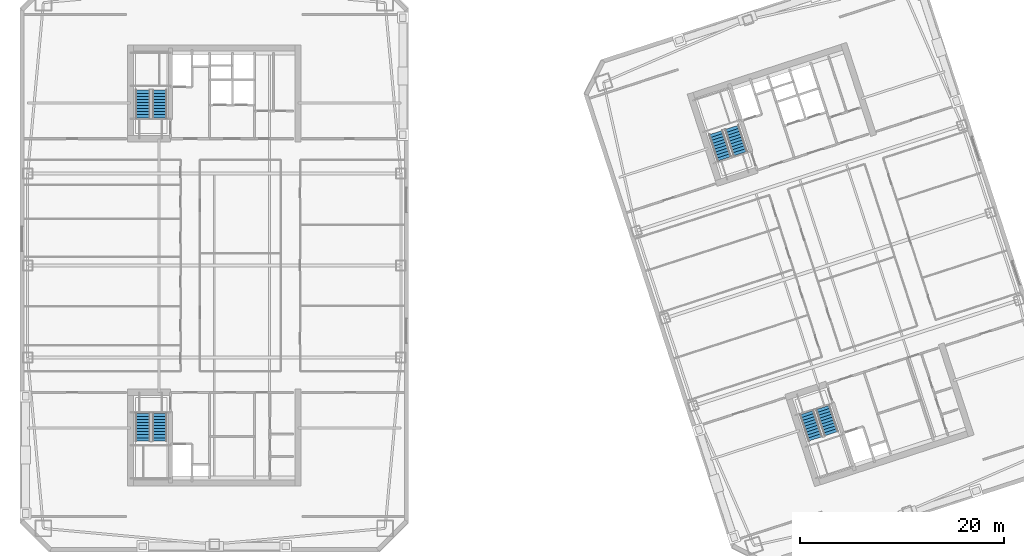
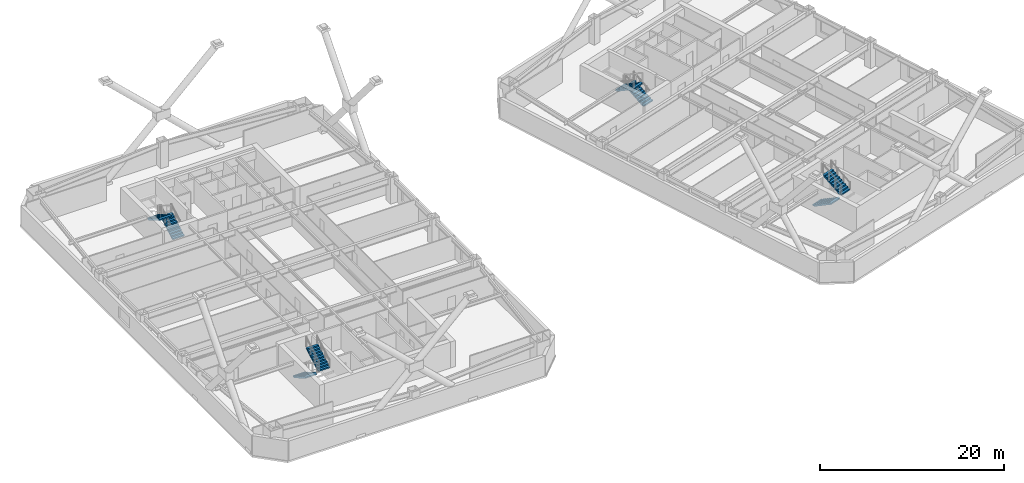
# One storey, part 10 of 12: 8 stair flights, 4 elements without a shape of their own.
"""IFC4 building model written with IfcOpenShell, lengths in metres."""

from ifc_helpers import new_model, si_unit, direction, frame, origin, place, context, subcontext, project, spatial, polyline, outline, extrude, material, type_object, element, aggregate, save


model = new_model("IFC4")

# Units and contexts
model_context = context("Model", 3, precision=1e-05, world=origin(), true_north=direction((0.0, 1.0)))
body_context = subcontext(model_context, "Body", "Model", "MODEL_VIEW")
ifc_project = project(units=[si_unit("LENGTHUNIT", "METRE"), si_unit("AREAUNIT", "SQUARE_METRE"), si_unit("VOLUMEUNIT", "CUBIC_METRE"), si_unit("PLANEANGLEUNIT", "RADIAN"), si_unit("MASSUNIT", "GRAM", prefix="KILO")], contexts=[model_context])

# Site, building, storey
site_placement = place(None, origin())
site = spatial("IfcSite", under=ifc_project, at=site_placement, CompositionType="ELEMENT")
building_placement = place(site_placement, origin())
building = spatial("IfcBuilding", under=site, at=building_placement, Name="Qiaolan Cultural Towers", CompositionType="ELEMENT")
storey_placement = place(building_placement, frame((0.0, 0.0, 106.949951171875)))
storey = spatial("IfcBuildingStorey", under=building, at=storey_placement, Name="L27", CompositionType="ELEMENT", Elevation=106.949951171875)

# Stair, stair flights
ifc_material_1 = material(Name="Concrete C45", Category="concrete")
stair_type = type_object("IfcStairType", Name="STR-CORE-1500", PredefinedType="HALF_TURN_STAIR", material=ifc_material_1)
stair_1_placement = place(storey_placement, origin())
stair_1 = element("IfcStair", 1, at=stair_1_placement, inside=storey, type_object=stair_type, Name="L27 Smokeproof Exit Stair ST-W1", PredefinedType="HALF_TURN_STAIR")
ifc_material_2 = material(Name="Concrete C45", Category="concrete")
stair_flight_type = type_object("IfcStairFlightType", Name="STR-CORE-1500-FL", PredefinedType="STRAIGHT", material=ifc_material_2)
stair_flight_1_placement = place(storey_placement, frame((23.02001953125, 19.550048828125, 0.0), z_axis=(0.0, 0.0, 1.0), x_axis=(0.0, -1.0, 0.0)))
stair_flight_1 = element("IfcStairFlight", 2, at=stair_flight_1_placement, type_object=stair_flight_type, Name="ST-W1 flight 1", NumberOfRisers=10, NumberOfTreads=9, PredefinedType="STRAIGHT", RiserHeight=0.1725, TreadLength=0.3, context=body_context, shape_type="SweptSolid", body=[
    extrude(outline(polyline([(0.0, 0.0), (0.0, 0.172607421875), (0.300048828125, 0.172607421875), (0.300048828125, 0.344970703125), (0.60009765625, 0.344970703125), (0.60009765625, 0.517578125), (0.89990234375, 0.517578125), (0.89990234375, 0.68994140625), (1.199951171875, 0.68994140625), (1.199951171875, 0.862548828125), (1.5, 0.862548828125), (1.5, 1.034912109375), (1.800048828125, 1.034912109375), (1.800048828125, 1.20751953125), (2.10009765625, 1.20751953125), (2.10009765625, 1.3798828125), (2.39990234375, 1.3798828125), (2.39990234375, 1.552490234375), (2.699951171875, 1.552490234375), (2.699951171875, 1.72509765625), (2.699951171875, 1.379638671875), (0.30078125, 0.0), (0.0, 0.0)])), frame((0.0, 0.719970703125, 0.0), z_axis=(0.0, -1.0, 0.0), x_axis=(1.0, 0.0, 0.0)), (0.0, 0.0, 1.0), 1.43994140625),
])
stair_flight_2_placement = place(storey_placement, frame((24.659912109375, 16.85009765625, 1.72509765625), z_axis=(0.0, 0.0, 1.0), x_axis=(0.0, 1.0, 0.0)))
stair_flight_2 = element("IfcStairFlight", 3, at=stair_flight_2_placement, type_object=stair_flight_type, Name="ST-W1 flight 2", NumberOfRisers=10, NumberOfTreads=9, PredefinedType="STRAIGHT", RiserHeight=0.1725, TreadLength=0.3, context=body_context, shape_type="SweptSolid", body=[
    extrude(outline(polyline([(0.0, 0.0), (0.0, 0.172607421875), (0.300048828125, 0.172607421875), (0.300048828125, 0.344970703125), (0.60009765625, 0.344970703125), (0.60009765625, 0.517578125), (0.89990234375, 0.517578125), (0.89990234375, 0.68994140625), (1.199951171875, 0.68994140625), (1.199951171875, 0.862548828125), (1.5, 0.862548828125), (1.5, 1.034912109375), (1.800048828125, 1.034912109375), (1.800048828125, 1.20751953125), (2.10009765625, 1.20751953125), (2.10009765625, 1.3798828125), (2.39990234375, 1.3798828125), (2.39990234375, 1.552490234375), (2.699951171875, 1.552490234375), (2.699951171875, 1.72509765625), (2.699951171875, 1.379638671875), (0.30078125, 0.0), (0.0, 0.0)])), frame((0.0, 0.719970703125, 0.0), z_axis=(0.0, -1.0, 0.0), x_axis=(1.0, 0.0, 0.0)), (0.0, 0.0, 1.0), 1.43994140625),
])
aggregate(stair_1, [stair_flight_1, stair_flight_2])

stair_2_placement = place(storey_placement, origin())
stair_2 = element("IfcStair", 4, at=stair_2_placement, inside=storey, type_object=stair_type, Name="L27 Smokeproof Exit Stair ST-W2", PredefinedType="HALF_TURN_STAIR")
stair_flight_3_placement = place(storey_placement, frame((24.659912109375, 48.449951171875, 0.0), z_axis=(0.0, 0.0, 1.0), x_axis=(0.0, 1.0, 0.0)))
stair_flight_3 = element("IfcStairFlight", 5, at=stair_flight_3_placement, type_object=stair_flight_type, Name="ST-W2 flight 1", NumberOfRisers=10, NumberOfTreads=9, PredefinedType="STRAIGHT", RiserHeight=0.1725, TreadLength=0.3, context=body_context, shape_type="SweptSolid", body=[
    extrude(outline(polyline([(0.0, 0.0), (0.0, 0.172607421875), (0.300048828125, 0.172607421875), (0.300048828125, 0.344970703125), (0.60009765625, 0.344970703125), (0.60009765625, 0.517578125), (0.89990234375, 0.517578125), (0.89990234375, 0.68994140625), (1.199951171875, 0.68994140625), (1.199951171875, 0.862548828125), (1.5, 0.862548828125), (1.5, 1.034912109375), (1.800048828125, 1.034912109375), (1.800048828125, 1.20751953125), (2.10009765625, 1.20751953125), (2.10009765625, 1.3798828125), (2.39990234375, 1.3798828125), (2.39990234375, 1.552490234375), (2.699951171875, 1.552490234375), (2.699951171875, 1.72509765625), (2.699951171875, 1.379638671875), (0.30078125, 0.0), (0.0, 0.0)])), frame((0.0, 0.719970703125, 0.0), z_axis=(0.0, -1.0, 0.0), x_axis=(1.0, 0.0, 0.0)), (0.0, 0.0, 1.0), 1.43994140625),
])
stair_flight_4_placement = place(storey_placement, frame((23.02001953125, 51.14990234375, 1.72509765625), z_axis=(0.0, 0.0, 1.0), x_axis=(0.0, -1.0, 0.0)))
stair_flight_4 = element("IfcStairFlight", 6, at=stair_flight_4_placement, type_object=stair_flight_type, Name="ST-W2 flight 2", NumberOfRisers=10, NumberOfTreads=9, PredefinedType="STRAIGHT", RiserHeight=0.1725, TreadLength=0.3, context=body_context, shape_type="SweptSolid", body=[
    extrude(outline(polyline([(0.0, 0.0), (0.0, 0.172607421875), (0.300048828125, 0.172607421875), (0.300048828125, 0.344970703125), (0.60009765625, 0.344970703125), (0.60009765625, 0.517578125), (0.89990234375, 0.517578125), (0.89990234375, 0.68994140625), (1.199951171875, 0.68994140625), (1.199951171875, 0.862548828125), (1.5, 0.862548828125), (1.5, 1.034912109375), (1.800048828125, 1.034912109375), (1.800048828125, 1.20751953125), (2.10009765625, 1.20751953125), (2.10009765625, 1.3798828125), (2.39990234375, 1.3798828125), (2.39990234375, 1.552490234375), (2.699951171875, 1.552490234375), (2.699951171875, 1.72509765625), (2.699951171875, 1.379638671875), (0.30078125, 0.0), (0.0, 0.0)])), frame((0.0, 0.719970703125, 0.0), z_axis=(0.0, -1.0, 0.0), x_axis=(1.0, 0.0, 0.0)), (0.0, 0.0, 1.0), 1.43994140625),
])
aggregate(stair_2, [stair_flight_3, stair_flight_4])

stair_3_placement = place(storey_placement, origin())
stair_3 = element("IfcStair", 7, at=stair_3_placement, inside=storey, type_object=stair_type, Name="L27 Smokeproof Exit Stair ST-E1", PredefinedType="HALF_TURN_STAIR")
stair_flight_5_placement = place(storey_placement, frame((87.96484375, 19.6171875, 0.0), z_axis=(0.0, 0.0, 1.0), x_axis=(0.309016994375, -0.951056516295, 0.0)))
stair_flight_5 = element("IfcStairFlight", 8, at=stair_flight_5_placement, type_object=stair_flight_type, Name="ST-E1 flight 1", NumberOfRisers=10, NumberOfTreads=9, PredefinedType="STRAIGHT", RiserHeight=0.1725, TreadLength=0.3, context=body_context, shape_type="SweptSolid", body=[
    extrude(outline(polyline([(0.0, 0.0), (0.0, 0.172607421875), (0.300048828125, 0.172607421875), (0.300048828125, 0.344970703125), (0.60009765625, 0.344970703125), (0.60009765625, 0.517578125), (0.89990234375, 0.517578125), (0.89990234375, 0.68994140625), (1.199951171875, 0.68994140625), (1.199951171875, 0.862548828125), (1.5, 0.862548828125), (1.5, 1.034912109375), (1.800048828125, 1.034912109375), (1.800048828125, 1.20751953125), (2.10009765625, 1.20751953125), (2.10009765625, 1.3798828125), (2.39990234375, 1.3798828125), (2.39990234375, 1.552490234375), (2.699951171875, 1.552490234375), (2.699951171875, 1.72509765625), (2.699951171875, 1.379638671875), (0.30078125, 0.0), (0.0, 0.0)])), frame((0.0, 0.719970703125, 0.0), z_axis=(0.0, -1.0, 0.0), x_axis=(1.0, 0.0, 0.0)), (0.0, 0.0, 1.0), 1.43994140625),
])
stair_flight_6_placement = place(storey_placement, frame((90.359130859375, 17.55615234375, 1.72509765625), z_axis=(0.0, 0.0, 1.0), x_axis=(-0.309016994375, 0.951056516295, 0.0)))
stair_flight_6 = element("IfcStairFlight", 9, at=stair_flight_6_placement, type_object=stair_flight_type, Name="ST-E1 flight 2", NumberOfRisers=10, NumberOfTreads=9, PredefinedType="STRAIGHT", RiserHeight=0.1725, TreadLength=0.3, context=body_context, shape_type="SweptSolid", body=[
    extrude(outline(polyline([(0.0, 0.0), (0.0, 0.172607421875), (0.300048828125, 0.172607421875), (0.300048828125, 0.344970703125), (0.60009765625, 0.344970703125), (0.60009765625, 0.517578125), (0.89990234375, 0.517578125), (0.89990234375, 0.68994140625), (1.199951171875, 0.68994140625), (1.199951171875, 0.862548828125), (1.5, 0.862548828125), (1.5, 1.034912109375), (1.800048828125, 1.034912109375), (1.800048828125, 1.20751953125), (2.10009765625, 1.20751953125), (2.10009765625, 1.3798828125), (2.39990234375, 1.3798828125), (2.39990234375, 1.552490234375), (2.699951171875, 1.552490234375), (2.699951171875, 1.72509765625), (2.699951171875, 1.379638671875), (0.30078125, 0.0), (0.0, 0.0)])), frame((0.0, 0.719970703125, 0.0), z_axis=(0.0, -1.0, 0.0), x_axis=(1.0, 0.0, 0.0)), (0.0, 0.0, 1.0), 1.43994140625),
])
aggregate(stair_3, [stair_flight_5, stair_flight_6])

stair_4_placement = place(storey_placement, origin())
stair_4 = element("IfcStair", 10, at=stair_4_placement, inside=storey, type_object=stair_type, Name="L27 Smokeproof Exit Stair ST-E2", PredefinedType="HALF_TURN_STAIR")
stair_flight_7_placement = place(storey_placement, frame((81.459228515625, 44.946533203125, 0.0), z_axis=(0.0, 0.0, 1.0), x_axis=(-0.309016994375, 0.951056516295, 0.0)))
stair_flight_7 = element("IfcStairFlight", 11, at=stair_flight_7_placement, type_object=stair_flight_type, Name="ST-E2 flight 1", NumberOfRisers=10, NumberOfTreads=9, PredefinedType="STRAIGHT", RiserHeight=0.1725, TreadLength=0.3, context=body_context, shape_type="SweptSolid", body=[
    extrude(outline(polyline([(0.0, 0.0), (0.0, 0.172607421875), (0.300048828125, 0.172607421875), (0.300048828125, 0.344970703125), (0.60009765625, 0.344970703125), (0.60009765625, 0.517578125), (0.89990234375, 0.517578125), (0.89990234375, 0.68994140625), (1.199951171875, 0.68994140625), (1.199951171875, 0.862548828125), (1.5, 0.862548828125), (1.5, 1.034912109375), (1.800048828125, 1.034912109375), (1.800048828125, 1.20751953125), (2.10009765625, 1.20751953125), (2.10009765625, 1.3798828125), (2.39990234375, 1.3798828125), (2.39990234375, 1.552490234375), (2.699951171875, 1.552490234375), (2.699951171875, 1.72509765625), (2.699951171875, 1.379638671875), (0.30078125, 0.0), (0.0, 0.0)])), frame((0.0, 0.719970703125, 0.0), z_axis=(0.0, -1.0, 0.0), x_axis=(1.0, 0.0, 0.0)), (0.0, 0.0, 1.0), 1.43994140625),
])
stair_flight_8_placement = place(storey_placement, frame((79.065185546875, 47.007568359375, 1.72509765625), z_axis=(0.0, 0.0, 1.0), x_axis=(0.309016994375, -0.951056516295, 0.0)))
stair_flight_8 = element("IfcStairFlight", 12, at=stair_flight_8_placement, type_object=stair_flight_type, Name="ST-E2 flight 2", NumberOfRisers=10, NumberOfTreads=9, PredefinedType="STRAIGHT", RiserHeight=0.1725, TreadLength=0.3, context=body_context, shape_type="SweptSolid", body=[
    extrude(outline(polyline([(0.0, 0.0), (0.0, 0.172607421875), (0.300048828125, 0.172607421875), (0.300048828125, 0.344970703125), (0.60009765625, 0.344970703125), (0.60009765625, 0.517578125), (0.89990234375, 0.517578125), (0.89990234375, 0.68994140625), (1.199951171875, 0.68994140625), (1.199951171875, 0.862548828125), (1.5, 0.862548828125), (1.5, 1.034912109375), (1.800048828125, 1.034912109375), (1.800048828125, 1.20751953125), (2.10009765625, 1.20751953125), (2.10009765625, 1.3798828125), (2.39990234375, 1.3798828125), (2.39990234375, 1.552490234375), (2.699951171875, 1.552490234375), (2.699951171875, 1.72509765625), (2.699951171875, 1.379638671875), (0.30078125, 0.0), (0.0, 0.0)])), frame((0.0, 0.719970703125, 0.0), z_axis=(0.0, -1.0, 0.0), x_axis=(1.0, 0.0, 0.0)), (0.0, 0.0, 1.0), 1.43994140625),
])
aggregate(stair_4, [stair_flight_7, stair_flight_8])

save(model, "model.ifc")
